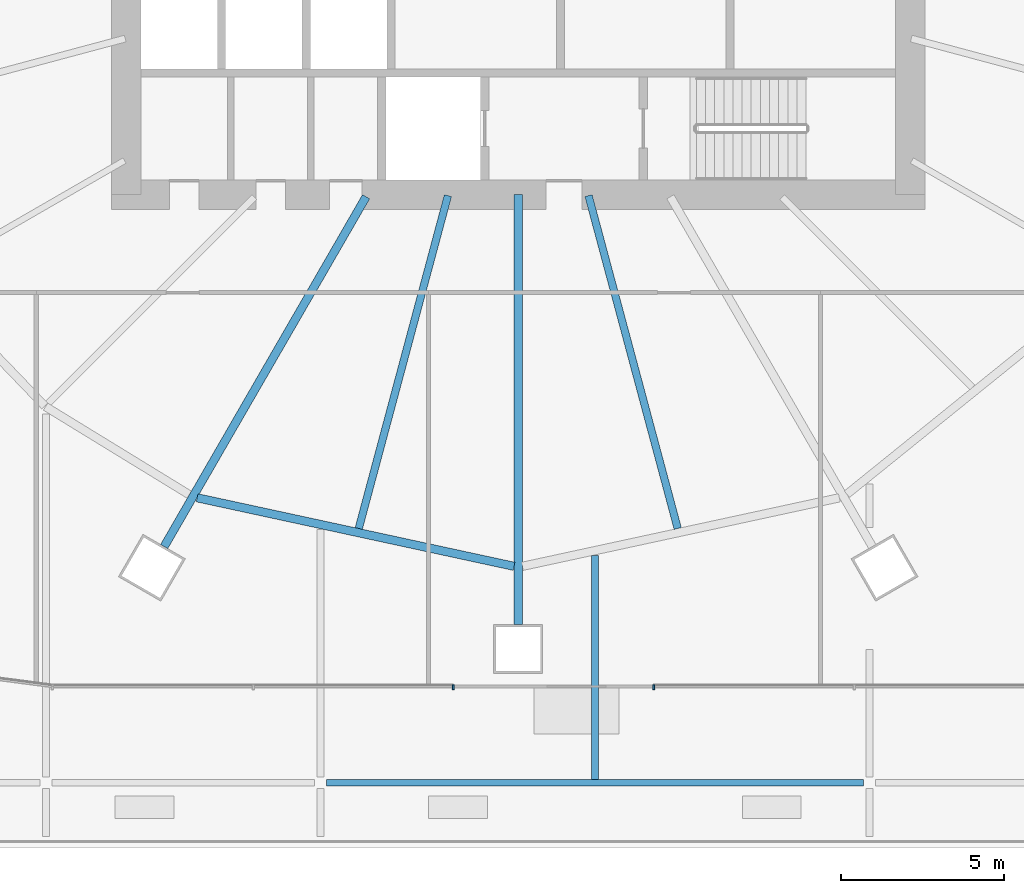
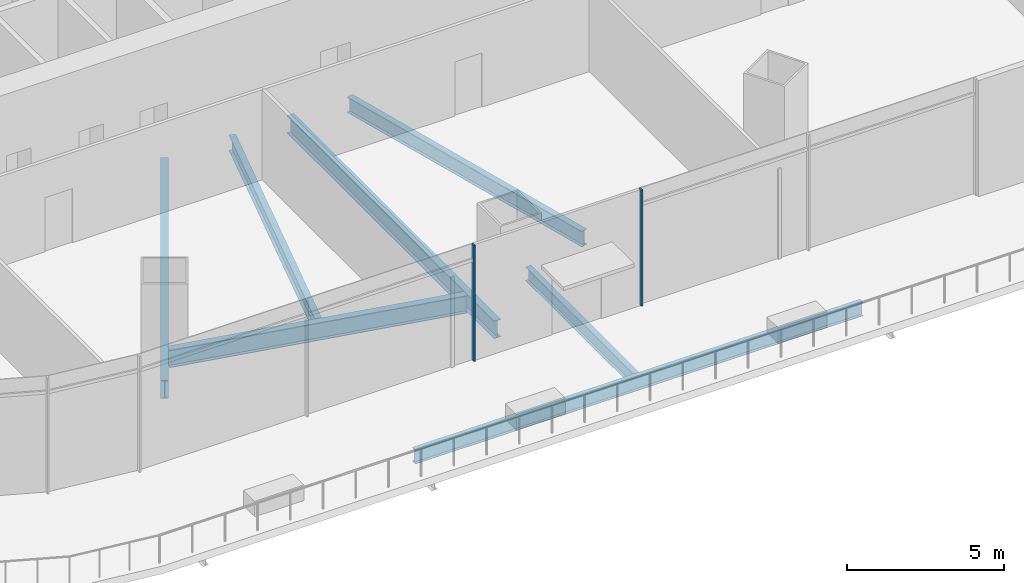
# One storey, part 10 of 49: 7 beams, 2 members, 1 element without a shape of its own.
"""IFC4 building model written with IfcOpenShell, lengths in metres."""

import ifcopenshell
import ifcopenshell.guid

model = None  # the IFC model being written
_history = None  # IfcOwnerHistory: only IFC2X3 demands one
_inside = {}  # id of a spatial element -> (the spatial element, [elements in it])
_under = {}  # id of a project, library or spatial element -> (it, [spatial elements below it])
_declared = {}  # id of a project -> (the project, [libraries it declares])
_typed = {}  # id of a type object -> (the type object, [elements of that type])
_made_of = {}  # id of a material, layer set ... -> (it, [elements and type objects made of it])


def new_model(schema):
    """Start an empty IFC model of exactly this schema.

    Asked for "IFC4X3", IfcOpenShell would pick the latest addendum, in which some entities
    have other attributes; the version numbers below select the first issue.
    IFC2X3 requires an IfcOwnerHistory on every rooted entity: one is made here for all.
    """
    global model, _history
    if schema == "IFC4X3":
        model = ifcopenshell.file(schema_version=(4, 3, 0, 0))
    else:
        model = ifcopenshell.file(schema=schema)
    _inside.clear()
    _under.clear()
    _declared.clear()
    _typed.clear()
    _made_of.clear()
    _history = None
    if model.schema == "IFC2X3":
        org = make("IfcOrganization", Name="unknown")
        user = make(
            "IfcPersonAndOrganization",
            ThePerson=make("IfcPerson", FamilyName="unknown"),
            TheOrganization=org,
        )
        app = make(
            "IfcApplication",
            ApplicationDeveloper=org,
            Version="unknown",
            ApplicationFullName="unknown",
            ApplicationIdentifier="unknown",
        )
        _history = make(
            "IfcOwnerHistory",
            OwningUser=user,
            OwningApplication=app,
            ChangeAction="ADDED",
            CreationDate=0,
        )
    return model


def make(cls, **values):
    """One entity of the class cls with the attributes given. An attribute that is None is left unset."""
    return model.create_entity(
        cls, **{name: value for name, value in values.items() if value is not None}
    )


def rooted(cls, **values):
    """An entity with a GlobalId (a new one), such as an element, a storey or a relation."""
    return make(cls, GlobalId=ifcopenshell.guid.new(), OwnerHistory=_history, **values)


def si_unit(unit_type, name, prefix=None):
    """IfcSIUnit, for example si_unit("LENGTHUNIT", "METRE", prefix="MILLI")."""
    return make("IfcSIUnit", UnitType=unit_type, Prefix=prefix, Name=name)


def assignment(units):
    """IfcUnitAssignment: the units of a project."""
    return None if units is None else make("IfcUnitAssignment", Units=units)


def point(xyz):
    """IfcCartesianPoint."""
    return None if xyz is None else make("IfcCartesianPoint", Coordinates=xyz)


def direction(xyz):
    """IfcDirection."""
    return None if xyz is None else make("IfcDirection", DirectionRatios=xyz)


def frame(location, z_axis=None, x_axis=None):
    """IfcAxis2Placement3D, a coordinate frame: its origin and axes. An axis left out is left unset."""
    return make(
        "IfcAxis2Placement3D",
        Location=point(location),
        Axis=direction(z_axis),
        RefDirection=direction(x_axis),
    )


def frame_2d(location, x_axis=None):
    """IfcAxis2Placement2D, a coordinate frame in the plane: its origin and x axis."""
    return make(
        "IfcAxis2Placement2D", Location=point(location), RefDirection=direction(x_axis)
    )


def origin():
    """The frame at (0, 0, 0) with its axes left unset."""
    return frame((0.0, 0.0, 0.0))


def origin_2d():
    """The frame at (0, 0) in the plane with its x axis left unset."""
    return frame_2d((0.0, 0.0))


def place(relative_to, where):
    """IfcLocalPlacement: puts the frame where relative to a parent placement (None: the world)."""
    return make(
        "IfcLocalPlacement", PlacementRelTo=relative_to, RelativePlacement=where
    )


def context(
    kind, dimensions, precision=None, world=None, true_north=None, identifier=None
):
    """IfcGeometricRepresentationContext, for example the 3D "Model" context."""
    return make(
        "IfcGeometricRepresentationContext",
        ContextIdentifier=identifier,
        ContextType=kind,
        CoordinateSpaceDimension=dimensions,
        Precision=precision,
        WorldCoordinateSystem=world,
        TrueNorth=true_north,
    )


def subcontext(parent, identifier, kind, view, scale=None):
    """IfcGeometricRepresentationSubContext, for example "Body" below "Model"."""
    return make(
        "IfcGeometricRepresentationSubContext",
        ContextIdentifier=identifier,
        ContextType=kind,
        ParentContext=parent,
        TargetScale=scale,
        TargetView=view,
    )


def project(units=None, contexts=None):
    """IfcProject with its units and contexts."""
    return rooted(
        "IfcProject",
        Name="project",
        RepresentationContexts=contexts,
        UnitsInContext=assignment(units),
    )


def spatial(cls, under=None, at=None, **own):
    """A site, building, storey or space (cls), placed at a placement, below another one or the project."""
    s = rooted(cls, ObjectPlacement=at, **own)
    if under is not None:
        _under.setdefault(under.id(), (under, []))[1].append(s)
    return s


def profile(cls, at=None, kind="AREA", **sizes):
    """A parametric profile (cls). Its sizes go by their IFC names, for example OverallWidth=200.0."""
    return make(cls, ProfileType=kind, Position=at, **sizes)


def rectangle(**sizes):
    """IfcRectangleProfileDef."""
    return profile("IfcRectangleProfileDef", **sizes)


def i_section(**sizes):
    """IfcIShapeProfileDef."""
    return profile("IfcIShapeProfileDef", **sizes)


def extrude(swept, where, along, depth):
    """IfcExtrudedAreaSolid: the profile swept, set in the frame where, extruded along a direction by depth."""
    return make(
        "IfcExtrudedAreaSolid",
        SweptArea=swept,
        Position=where,
        ExtrudedDirection=direction(along),
        Depth=depth,
    )


def shape(context_of_items, identifier, shape_type, items):
    """IfcShapeRepresentation: the items that make up one representation, for example the "Body"."""
    return make(
        "IfcShapeRepresentation",
        ContextOfItems=context_of_items,
        RepresentationIdentifier=identifier,
        RepresentationType=shape_type,
        Items=items,
    )


def material(Name=None, Category=None):
    """IfcMaterial."""
    return make("IfcMaterial", Name=Name, Category=Category)


def material_profile(
    of_material, cross_section, Name=None, Category=None, Priority=None
):
    """IfcMaterialProfile: a cross section and its material."""
    return make(
        "IfcMaterialProfile",
        Name=Name,
        Material=of_material,
        Profile=cross_section,
        Priority=Priority,
        Category=Category,
    )


def profile_set(profiles, Name=None, composite=None):
    """IfcMaterialProfileSet."""
    return make(
        "IfcMaterialProfileSet",
        Name=Name,
        MaterialProfiles=profiles,
        CompositeProfile=composite,
    )


def made_of(thing, what):
    """Note that an element or type object is made of a material, layer set ...; save() writes the relation."""
    if what is not None:
        _made_of.setdefault(what.id(), (what, []))[1].append(thing)
    return thing


def type_object(cls, material=None, **own):
    """A type object (cls), such as IfcWallType, which elements share."""
    return made_of(rooted(cls, **own), material)


def element(
    cls,
    number,
    at=None,
    inside=None,
    cuts=None,
    type_object=None,
    material=None,
    context=None,
    identifier="Body",
    shape_type=None,
    held_by="IfcProductDefinitionShape",
    body=None,
    shapes=None,
    **own,
):
    """One element of the class cls, such as IfcWall. Its Tag is "e" and its number.

    at: its placement. inside: the storey or other place that contains it. cuts: it is an
    opening in that element (IfcRelVoidsElement). A single representation is given by context,
    identifier, shape_type and body (its items); several are given by shapes. held_by: the class
    of the entity that holds the representations. save() writes the other relations.
    """
    e = rooted(cls, Tag="e%d" % number, ObjectPlacement=at, **own)
    if body is not None:
        shapes = [shape(context, identifier, shape_type, body)]
    if shapes is not None:
        e.Representation = make(held_by, Representations=shapes)
    if inside is not None:
        _inside.setdefault(inside.id(), (inside, []))[1].append(e)
    if cuts is not None:
        rooted(
            "IfcRelVoidsElement", RelatingBuildingElement=cuts, RelatedOpeningElement=e
        )
    if type_object is not None:
        _typed.setdefault(type_object.id(), (type_object, []))[1].append(e)
    return made_of(e, material)


def aggregate(whole, parts):
    """IfcRelAggregates: a whole, such as a stair, and the parts it consists of."""
    return rooted("IfcRelAggregates", RelatingObject=whole, RelatedObjects=parts)


def save(model, path):
    """Write the relations noted so far, then the file.

    IfcRelAggregates (storeys below a building ...), IfcRelContainedInSpatialStructure (elements
    in a storey), IfcRelDefinesByType, IfcRelAssociatesMaterial and IfcRelDeclares: one each for
    every whole, place, type object, material and project.
    """
    for whole, parts in _under.values():
        aggregate(whole, parts)
    for where, things in _inside.values():
        rooted(
            "IfcRelContainedInSpatialStructure",
            RelatedElements=things,
            RelatingStructure=where,
        )
    for kind, things in _typed.values():
        rooted("IfcRelDefinesByType", RelatedObjects=things, RelatingType=kind)
    for what, things in _made_of.values():
        rooted("IfcRelAssociatesMaterial", RelatedObjects=things, RelatingMaterial=what)
    for by, libraries in _declared.values():
        rooted("IfcRelDeclares", RelatingContext=by, RelatedDefinitions=libraries)
    model.write(path)


model = new_model("IFC4")

# Units and contexts
model_context = context("Model", 3, precision=1e-05, world=origin(), true_north=direction((0.0, 1.0)))
body_context = subcontext(model_context, "Body", "Model", "MODEL_VIEW")
ifc_project = project(units=[si_unit("LENGTHUNIT", "METRE"), si_unit("AREAUNIT", "SQUARE_METRE"), si_unit("VOLUMEUNIT", "CUBIC_METRE"), si_unit("PLANEANGLEUNIT", "RADIAN"), si_unit("MASSUNIT", "GRAM", prefix="KILO")], contexts=[model_context])

# Site, building, storey
site_placement = place(None, origin())
site = spatial("IfcSite", under=ifc_project, at=site_placement, CompositionType="ELEMENT")
building_placement = place(site_placement, origin())
building = spatial("IfcBuilding", under=site, at=building_placement, Name="Rimbun Link Towers", CompositionType="ELEMENT")
storey_placement = place(building_placement, frame((0.0, 0.0, 25.5)))
storey = spatial("IfcBuildingStorey", under=building, at=storey_placement, Name="L05", CompositionType="ELEMENT", Elevation=25.5)

# Curtain wall, members
ifc_material_1 = material(Name="Aluminium 6063-T6 and low-iron glass", Category="aluminium")
curtain_wall_type = type_object("IfcCurtainWallType", Name="CW3 podium shopfront", PredefinedType="NOTDEFINED", material=ifc_material_1)
curtain_wall_placement = place(storey_placement, origin())
curtain_wall = element("IfcCurtainWall", 1, at=curtain_wall_placement, inside=storey, type_object=curtain_wall_type, Name="CW3 L05 PD", PredefinedType="NOTDEFINED")
ifc_material_2 = material(Name="Aluminium 6063-T6", Category="aluminium")
ifc_material_profile_1 = material_profile(ifc_material_2, rectangle(XDim=0.14990234375, YDim=0.06005859375, at=origin_2d()), Name="MULLION 60X150")
ifc_profile_set_1 = profile_set([ifc_material_profile_1], Name="Aluminium 6063-T6")
member_type = type_object("IfcMemberType", Name="CW3 mullion 60X150", PredefinedType="MULLION", material=ifc_profile_set_1)
member_1_placement = place(storey_placement, frame((-33.7333984375, -23.074951171875, 0.0), z_axis=(0.0, 0.0, 1.0), x_axis=(0.0, -1.0, 0.0)))
member_1 = element("IfcMember", 2, at=member_1_placement, type_object=member_type, Name="CW3 mullion", PredefinedType="MULLION", context=body_context, shape_type="SweptSolid", body=[
    extrude(rectangle(XDim=0.14990234375, YDim=0.06005859375, at=origin_2d()), origin(), (0.0, 0.0, 1.0), 4.5),
])
member_2_placement = place(storey_placement, frame((-27.60009765625, -23.074951171875, 0.0), z_axis=(0.0, 0.0, 1.0), x_axis=(0.0, -1.0, 0.0)))
member_2 = element("IfcMember", 3, at=member_2_placement, type_object=member_type, Name="CW3 mullion", PredefinedType="MULLION", context=body_context, shape_type="SweptSolid", body=[
    extrude(rectangle(XDim=0.14990234375, YDim=0.06005859375, at=origin_2d()), origin(), (0.0, 0.0, 1.0), 4.5),
])
aggregate(curtain_wall, [member_1, member_2])

# Beams
ifc_material_3 = material(Name="Steel S355J2", Category="steel")
ifc_material_profile_2 = material_profile(ifc_material_3, i_section(OverallWidth=0.209228515625, OverallDepth=0.533203125, WebThickness=0.010009765625, FlangeThickness=0.015625, at=origin_2d()), Name="UB 533x210x92")
ifc_profile_set_2 = profile_set([ifc_material_profile_2], Name="Steel S355J2")
beam_type_1 = type_object("IfcBeamType", Name="UB 533x210x92", PredefinedType="BEAM", material=ifc_profile_set_2)
beam_1_placement = place(storey_placement, frame((-37.61474609375, -26.0, -0.56640625), z_axis=(1.0, 0.0, 0.0), x_axis=(0.0, 1.0, 0.0)))
element("IfcBeam", 4, at=beam_1_placement, inside=storey, type_object=beam_type_1, Name="Grid beam L05 -26.0", PredefinedType="BEAM", context=body_context, shape_type="SweptSolid", body=[
    extrude(i_section(OverallWidth=0.209228515625, OverallDepth=0.533203125, WebThickness=0.010009765625, FlangeThickness=0.015625, at=origin_2d()), origin(), (0.0, 0.0, 1.0), 16.429443359375),
])
beam_2_placement = place(storey_placement, frame((-29.39990234375, -25.8955078125, -0.56640625), z_axis=(0.0, 1.0, 0.0), x_axis=(-1.0, 0.0, 0.0)))
element("IfcBeam", 5, at=beam_2_placement, inside=storey, type_object=beam_type_1, Name="Grid beam L05 -29.4", PredefinedType="BEAM", context=body_context, shape_type="SweptSolid", body=[
    extrude(i_section(OverallWidth=0.209228515625, OverallDepth=0.533203125, WebThickness=0.010009765625, FlangeThickness=0.015625, at=origin_2d()), origin(), (0.0, 0.0, 1.0), 6.84765625),
])
ifc_material_4 = material(Name="Steel S355J2", Category="steel")
ifc_material_profile_3 = material_profile(ifc_material_4, i_section(OverallWidth=0.2275390625, OverallDepth=0.6025390625, WebThickness=0.010498046875, FlangeThickness=0.014892578125, at=origin_2d()), Name="UB 610x229x101")
ifc_profile_set_3 = profile_set([ifc_material_profile_3], Name="Steel S355J2")
beam_type_2 = type_object("IfcBeamType", Name="UB 610x229x101", PredefinedType="BEAM", material=ifc_profile_set_3)
for number, where, z_axis, x_axis, name in (
    (6, (-33.901611328125, -8.030517578125, -0.601318359375), (-0.258844096103, -0.965919113545, 0.0), (0.965919113545, -0.258844096103, 0.0), "Radial beam T1 L05 17"),
    (7, (-29.598388671875, -8.030517578125, -0.601318359375), (0.258844096103, -0.965919113545, 0.0), (0.965919113545, 0.258844096103, 0.0), "Radial beam T1 L05 19"),
):
    element("IfcBeam", number, at=place(storey_placement, frame(where, z_axis=z_axis, x_axis=x_axis)), inside=storey, type_object=beam_type_2, Name=name, PredefinedType="BEAM", context=body_context, shape_type="SweptSolid", body=[
        extrude(i_section(OverallWidth=0.2275390625, OverallDepth=0.6025390625, WebThickness=0.010498046875, FlangeThickness=0.014892578125, at=origin_2d()), origin(), (0.0, 0.0, 1.0), 10.544921875),
    ])
ifc_material_5 = material(Name="Steel S355J2", Category="steel")
ifc_material_profile_4 = material_profile(ifc_material_5, i_section(OverallWidth=0.253662109375, OverallDepth=0.68359375, WebThickness=0.012451171875, FlangeThickness=0.01904296875, at=origin_2d()), Name="UB 686x254x140")
ifc_profile_set_4 = profile_set([ifc_material_profile_4], Name="Steel S355J2")
beam_type_3 = type_object("IfcBeamType", Name="UB 686x254x140", PredefinedType="BEAM", material=ifc_profile_set_4)
beam_3_placement = place(storey_placement, frame((-36.406005859375, -8.064208984375, -0.641845703125), z_axis=(-0.499992594562, -0.866029679274, 0.0), x_axis=(0.866029679274, -0.499992594562, 0.0)))
element("IfcBeam", 8, at=beam_3_placement, inside=storey, type_object=beam_type_3, Name="Radial beam T1 L05 16", PredefinedType="BEAM", context=body_context, shape_type="SweptSolid", body=[
    extrude(i_section(OverallWidth=0.253662109375, OverallDepth=0.68359375, WebThickness=0.012451171875, FlangeThickness=0.01904296875, at=origin_2d()), origin(), (0.0, 0.0, 1.0), 12.360595703125),
])
beam_4_placement = place(storey_placement, frame((-31.75, -8.0009765625, -0.641845703125), z_axis=(0.0, -1.0, 0.0), x_axis=(1.0, 0.0, 0.0)))
element("IfcBeam", 9, at=beam_4_placement, inside=storey, type_object=beam_type_3, Name="Radial beam T1 L05 18", PredefinedType="BEAM", context=body_context, shape_type="SweptSolid", body=[
    extrude(i_section(OverallWidth=0.253662109375, OverallDepth=0.68359375, WebThickness=0.012451171875, FlangeThickness=0.01904296875, at=origin_2d()), origin(), (0.0, 0.0, 1.0), 13.1533203125),
])
beam_5_placement = place(storey_placement, frame((-41.577392578125, -17.27685546875, -0.641845703125), z_axis=(0.977390124833, -0.211443949734, 0.0), x_axis=(0.211443949734, 0.977390124833, 0.0)))
element("IfcBeam", 10, at=beam_5_placement, inside=storey, type_object=beam_type_3, Name="Edge beam T1 L05 16-18", PredefinedType="BEAM", context=body_context, shape_type="SweptSolid", body=[
    extrude(i_section(OverallWidth=0.253662109375, OverallDepth=0.68359375, WebThickness=0.012451171875, FlangeThickness=0.01904296875, at=origin_2d()), origin(), (0.0, 0.0, 1.0), 9.924072265625),
])

save(model, "model.ifc")
